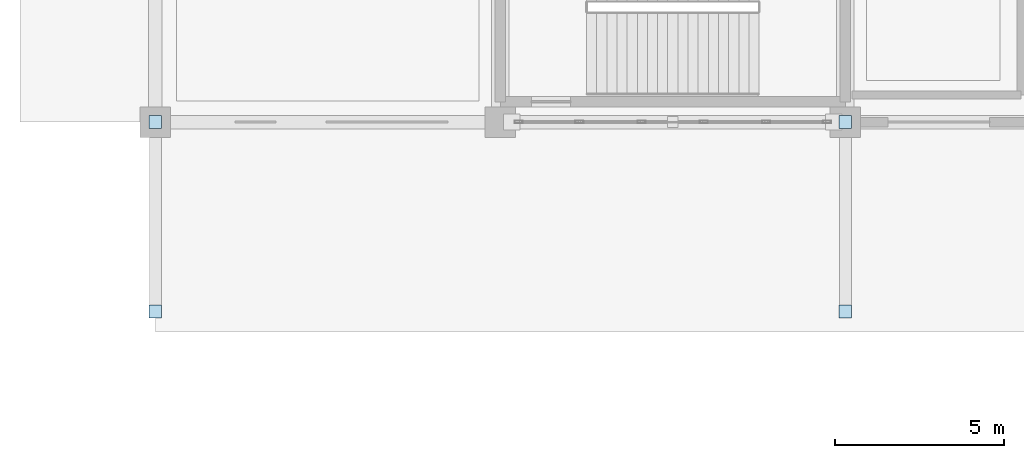
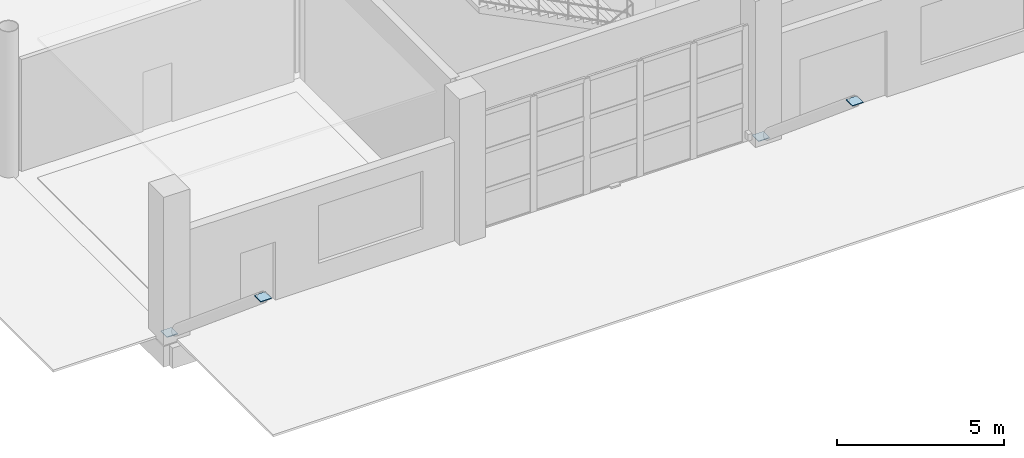
# One storey, part 82 of 124: 4 plates.
"""IFC4 building model written with IfcOpenShell, lengths in metres."""

from ifc_helpers import new_model, si_unit, direction, frame, origin, origin_2d, place, context, subcontext, project, spatial, rectangle, extrude, material, layer, layer_set, type_object, element, save


model = new_model("IFC4")

# Units and contexts
model_context = context("Model", 3, precision=1e-05, world=origin(), true_north=direction((0.0, 1.0)))
body_context = subcontext(model_context, "Body", "Model", "MODEL_VIEW")
ifc_project = project(units=[si_unit("LENGTHUNIT", "METRE"), si_unit("AREAUNIT", "SQUARE_METRE"), si_unit("VOLUMEUNIT", "CUBIC_METRE"), si_unit("PLANEANGLEUNIT", "RADIAN"), si_unit("MASSUNIT", "GRAM", prefix="KILO")], contexts=[model_context])

# Site, building, storey
site_placement = place(None, origin())
site = spatial("IfcSite", under=ifc_project, at=site_placement, CompositionType="ELEMENT")
building_placement = place(site_placement, origin())
building = spatial("IfcBuilding", under=site, at=building_placement, Name="Brelvane Convention Centre", CompositionType="ELEMENT")
storey_placement = place(building_placement, origin())
storey = spatial("IfcBuildingStorey", under=building, at=storey_placement, Name="L00", CompositionType="ELEMENT", Elevation=0.0)

# Plates
ifc_material = material(Name="Steel E450 (450 MPa)", Category="steel")
ifc_layer = layer(ifc_material, 0.02490234375)
ifc_layer_set = layer_set([ifc_layer], Name="Steel E450 (450 MPa)")
plate_type = type_object("IfcPlateType", Name="Steel Node Gusset Plate ND-3", PredefinedType="SHEET", material=ifc_layer_set)
for number, where, z_axis, x_axis, name in (
    (1, (0.0, 19.199951171875, 0.03759765625), (0.0, 0.0, 1.0), (1.0, 0.0, 0.0), "Raked Strut Node V1-L00-1-bot"),
    (2, (0.0, 13.60009765625, 4.7275390625), (0.0, 0.0, 1.0), (1.0, 0.0, 0.0), "Raked Strut Node V1-L00-1-top"),
    (3, (20.39990234375, 19.199951171875, 0.03759765625), (0.0, 0.0, 1.0), (1.0, 0.0, 0.0), "Raked Strut Node V1-L00-3-bot"),
    (4, (20.39990234375, 13.60009765625, 4.7275390625), (0.0, 0.0, 1.0), (1.0, 0.0, 0.0), "Raked Strut Node V1-L00-3-top"),
):
    element("IfcPlate", number, at=place(storey_placement, frame(where, z_axis=z_axis, x_axis=x_axis)), inside=storey, type_object=plate_type, Name=name, PredefinedType="SHEET", context=body_context, shape_type="SweptSolid", body=[
        extrude(rectangle(XDim=0.3798828125, YDim=0.3798828125, at=origin_2d()), origin(), (0.0, 0.0, 1.0), 0.02490234375),
    ])

save(model, "model.ifc")
